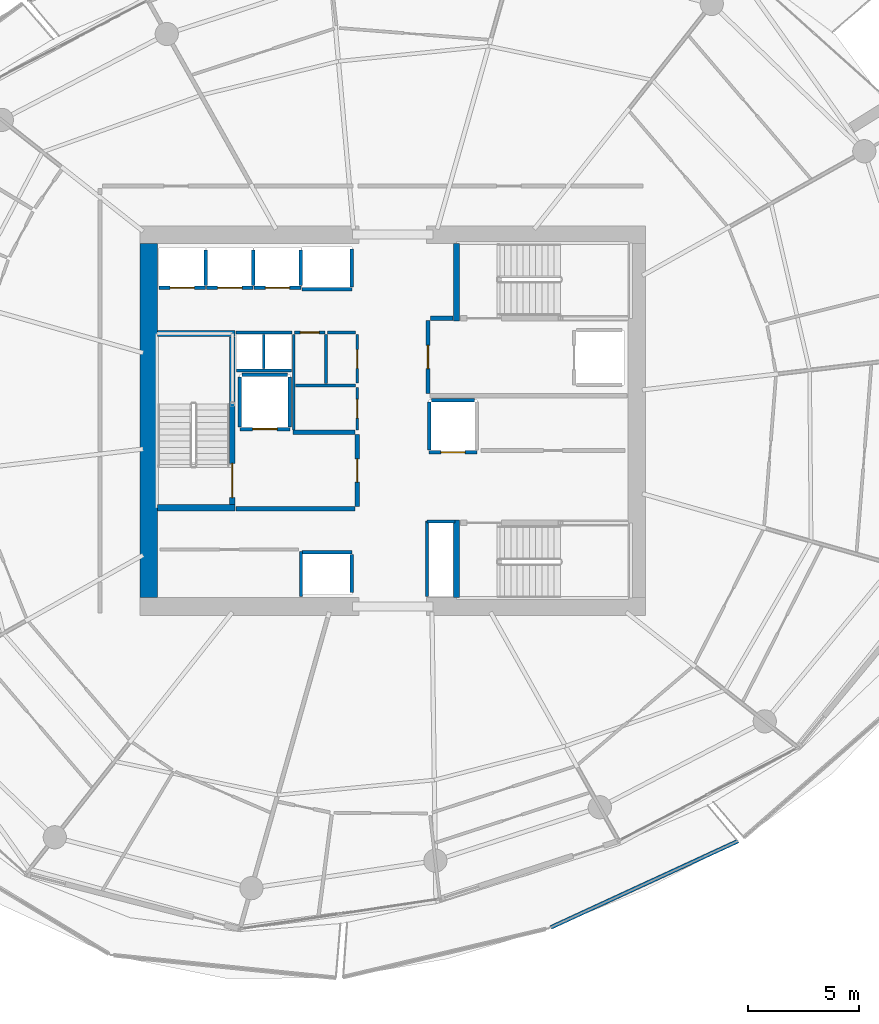
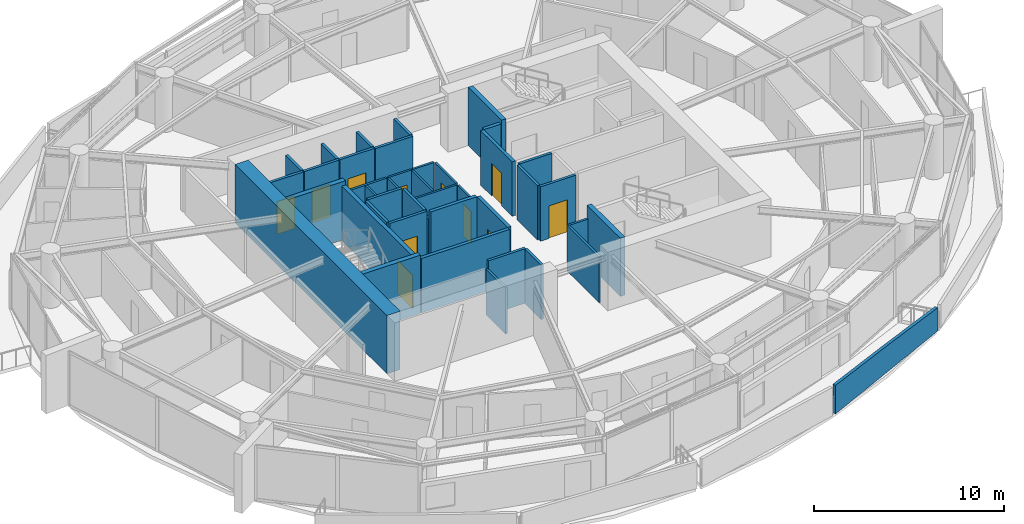
# One storey, part 12 of 20: 42 walls, 11 doors, 11 openings.
"""IFC4 building model written with IfcOpenShell, lengths in metres."""

from ifc_helpers import new_model, si_unit, direction, frame, frame_2d, origin, place, context, subcontext, project, spatial, polyline, rectangle, outline, extrude, material, layer, layer_set, type_object, element, fill, save


model = new_model("IFC4")

# Units and contexts
model_context = context("Model", 3, precision=1e-05, world=origin(), true_north=direction((0.0, 1.0)))
body_context = subcontext(model_context, "Body", "Model", "MODEL_VIEW")
ifc_project = project(units=[si_unit("LENGTHUNIT", "METRE"), si_unit("AREAUNIT", "SQUARE_METRE"), si_unit("VOLUMEUNIT", "CUBIC_METRE"), si_unit("PLANEANGLEUNIT", "RADIAN"), si_unit("MASSUNIT", "GRAM", prefix="KILO")], contexts=[model_context])

# Site, building, storey
site_placement = place(None, origin())
site = spatial("IfcSite", under=ifc_project, at=site_placement, CompositionType="ELEMENT")
building_placement = place(site_placement, origin())
building = spatial("IfcBuilding", under=site, at=building_placement, Name="Kazma Halo Residences", CompositionType="ELEMENT")
storey_placement = place(building_placement, frame((0.0, 0.0, 169.050048828125)))
storey = spatial("IfcBuildingStorey", under=building, at=storey_placement, Name="L42", CompositionType="ELEMENT", Elevation=169.050048828125)

# Walls
ifc_material_1 = material(Name="White Concrete C50/60 Balustrade", Category="concrete")
ifc_layer_1 = layer(ifc_material_1, 0.179931640625)
ifc_layer_set_1 = layer_set([ifc_layer_1], Name="White Concrete C50/60 Balustrade")
wall_type_1 = type_object("IfcWallType", Name="WL-BAL-WAVE-180", PredefinedType="PARAPET", material=ifc_layer_set_1)
wall_1_placement = place(storey_placement, frame((55.56494140625, 19.103271484375, 0.0), z_axis=(0.0, 0.0, 1.0), x_axis=(0.908087442579, 0.418780606799, 0.0)))
element("IfcWall", 1, at=wall_1_placement, inside=storey, type_object=wall_type_1, Name="L42 white wave balustrade wall SSE.2", PredefinedType="PARAPET", context=body_context, shape_type="SweptSolid", body=[
    extrude(outline(polyline([(0.0, 0.0), (9.3154296875, 0.0), (9.3154296875, 1.4970703125), (4.65771484375, 1.696044921875), (0.0, 1.83203125), (0.0, 0.0)])), frame((0.0, 0.08984375, 0.0), z_axis=(0.0, -1.0, 0.0), x_axis=(1.0, 0.0, 0.0)), (0.0, 0.0, 1.0), 0.179931640625),
])
ifc_material_2 = material(Name="Concrete C80/95", Category="concrete")
ifc_layer_2 = layer(ifc_material_2, 0.800048828125)
ifc_layer_set_2 = layer_set([ifc_layer_2], Name="Concrete C80/95")
wall_type_2 = type_object("IfcWallType", Name="WL-CORE-800", PredefinedType="SHEAR", material=ifc_layer_set_2)
wall_2_placement = place(storey_placement, frame((37.39990234375, 34.0, 0.0), z_axis=(0.0, 0.0, 1.0), x_axis=(0.0, 1.0, 0.0)))
element("IfcWall", 2, at=wall_2_placement, inside=storey, type_object=wall_type_2, Name="L42 central core shear wall W", PredefinedType="SHEAR", context=body_context, shape_type="SweptSolid", body=[
    extrude(rectangle(XDim=16.0, YDim=0.800048828125, at=frame_2d((8.0, 0.0))), origin(), (0.0, 0.0, 1.0), 3.75),
])
ifc_material_3 = material(Name="Concrete C60/75", Category="concrete")
ifc_layer_3 = layer(ifc_material_3, 0.280029296875)
ifc_layer_set_3 = layer_set([ifc_layer_3], Name="Concrete C60/75")
wall_type_3 = type_object("IfcWallType", Name="WL-CORE-ST-280", PredefinedType="SHEAR", material=ifc_layer_set_3)
for number, where, z_axis, x_axis, name in (
    (3, (37.800048828125, 38.06005859375, 0.0), (0.0, 0.0, 1.0), (1.0, 0.0, 0.0), "L42 stairwell bearing wall ST01-S"),
    (4, (37.800048828125, 45.93994140625, 0.0), (0.0, 0.0, 1.0), (1.0, 0.0, 0.0), "L42 stairwell bearing wall ST01-N"),
    (5, (51.31005859375, 46.5, 0.0), (0.0, 0.0, 1.0), (0.0, 1.0, 0.0), "L42 stairwell bearing wall ST02-W"),
    (6, (51.31005859375, 34.0, 0.0), (0.0, 0.0, 1.0), (0.0, 1.0, 0.0), "L42 stairwell bearing wall ST03-W"),
):
    element("IfcWall", number, at=place(storey_placement, frame(where, z_axis=z_axis, x_axis=x_axis)), inside=storey, type_object=wall_type_3, Name=name, PredefinedType="SHEAR", context=body_context, shape_type="SweptSolid", body=[
        extrude(rectangle(XDim=3.5, YDim=0.280029296875, at=frame_2d((1.75, 0.0))), origin(), (0.0, 0.0, 1.0), 3.75),
    ])

# Wall, opening, door
ifc_material_4 = material(Name="Fire-Rated Blockwork Masonry", Category="masonry")
ifc_layer_4 = layer(ifc_material_4, 0.199951171875)
ifc_layer_set_4 = layer_set([ifc_layer_4], Name="Fire-Rated Blockwork Masonry")
wall_type_4 = type_object("IfcWallType", Name="WL-FLB-200", PredefinedType="PARTITIONING", material=ifc_layer_set_4)
wall_3_placement = place(storey_placement, frame((39.97509765625, 47.9951171875, 0.0), z_axis=(0.0, 0.0, 1.0), x_axis=(-1.0, 0.0, 0.0)))
wall_3 = element("IfcWall", 7, at=wall_3_placement, inside=storey, type_object=wall_type_4, Name="L42 lift shaft PM-01 front wall", PredefinedType="PARTITIONING", context=body_context, shape_type="SweptSolid", body=[
    extrude(rectangle(XDim=2.110107421875, YDim=0.159912109375, at=frame_2d((1.05517578125, 0.0))), origin(), (0.0, 0.0, 1.0), 3.5),
])
opening_1_placement = place(wall_3_placement, frame((0.5048828125, 0.0, 0.0)))
opening_1 = element("IfcOpeningElement", 8, at=opening_1_placement, cuts=wall_3, Name="Opening LD-PM-01", PredefinedType="OPENING", context=body_context, shape_type="SweptSolid", body=[
    extrude(rectangle(XDim=1.10009765625, YDim=2.10009765625, at=frame_2d((0.550048828125, 1.050048828125))), frame((0.0, 0.08984375, 0.0), z_axis=(0.0, -1.0, 0.0), x_axis=(1.0, 0.0, 0.0)), (0.0, 0.0, 1.0), 0.179931640625),
])
ifc_material_5 = material(Name="Stainless Steel Fire-Rated", Category="steel")
door_type_1 = type_object("IfcDoorType", Name="DR-LIFT-SLD-1100", OperationType="DOUBLE_DOOR_SLIDING", PredefinedType="DOOR", material=ifc_material_5)
door_1_placement = place(opening_1_placement, origin())
door_1 = element("IfcDoor", 9, at=door_1_placement, inside=storey, type_object=door_type_1, Name="L42 lift PM-01 sliding landing door", OperationType="DOUBLE_DOOR_SLIDING", OverallHeight=2.10009765625, OverallWidth=1.10009765625, PredefinedType="DOOR", context=body_context, shape_type="SweptSolid", body=[
    extrude(rectangle(XDim=1.10009765625, YDim=2.10009765625, at=frame_2d((0.550048828125, 1.050048828125))), frame((0.0, 0.02490234375, 0.0), z_axis=(0.0, -1.0, 0.0), x_axis=(1.0, 0.0, 0.0)), (0.0, 0.0, 1.0), 0.050048828125),
])
fill(opening_1, door_1)

# Wall
wall_4_placement = place(storey_placement, frame((39.97509765625, 48.094970703125, 0.0), z_axis=(0.0, 0.0, 1.0), x_axis=(0.0, 1.0, 0.0)))
element("IfcWall", 10, at=wall_4_placement, inside=storey, type_object=wall_type_4, Name="L42 lift shaft PM-01 side wall E", PredefinedType="PARTITIONING", context=body_context, shape_type="SweptSolid", body=[
    extrude(rectangle(XDim=1.610107421875, YDim=0.159912109375, at=frame_2d((0.80517578125, 0.0))), origin(), (0.0, 0.0, 1.0), 3.5),
])

# Wall, opening, door
wall_5_placement = place(storey_placement, frame((42.125, 47.9951171875, 0.0), z_axis=(0.0, 0.0, 1.0), x_axis=(-1.0, 0.0, 0.0)))
wall_5 = element("IfcWall", 11, at=wall_5_placement, inside=storey, type_object=wall_type_4, Name="L42 lift shaft PM-02 front wall", PredefinedType="PARTITIONING", context=body_context, shape_type="SweptSolid", body=[
    extrude(rectangle(XDim=2.110107421875, YDim=0.159912109375, at=frame_2d((1.05517578125, 0.0))), origin(), (0.0, 0.0, 1.0), 3.5),
])
opening_2_placement = place(wall_5_placement, frame((0.5048828125, 0.0, 0.0)))
opening_2 = element("IfcOpeningElement", 12, at=opening_2_placement, cuts=wall_5, Name="Opening LD-PM-02", PredefinedType="OPENING", context=body_context, shape_type="SweptSolid", body=[
    extrude(rectangle(XDim=1.10009765625, YDim=2.10009765625, at=frame_2d((0.550048828125, 1.050048828125))), frame((0.0, 0.08984375, 0.0), z_axis=(0.0, -1.0, 0.0), x_axis=(1.0, 0.0, 0.0)), (0.0, 0.0, 1.0), 0.179931640625),
])
door_2_placement = place(opening_2_placement, origin())
door_2 = element("IfcDoor", 13, at=door_2_placement, inside=storey, type_object=door_type_1, Name="L42 lift PM-02 sliding landing door", OperationType="DOUBLE_DOOR_SLIDING", OverallHeight=2.10009765625, OverallWidth=1.10009765625, PredefinedType="DOOR", context=body_context, shape_type="SweptSolid", body=[
    extrude(rectangle(XDim=1.10009765625, YDim=2.10009765625, at=frame_2d((0.550048828125, 1.050048828125))), frame((0.0, 0.02490234375, 0.0), z_axis=(0.0, -1.0, 0.0), x_axis=(1.0, 0.0, 0.0)), (0.0, 0.0, 1.0), 0.050048828125),
])
fill(opening_2, door_2)

# Wall
wall_6_placement = place(storey_placement, frame((42.125, 48.094970703125, 0.0), z_axis=(0.0, 0.0, 1.0), x_axis=(0.0, 1.0, 0.0)))
element("IfcWall", 14, at=wall_6_placement, inside=storey, type_object=wall_type_4, Name="L42 lift shaft PM-02 side wall E", PredefinedType="PARTITIONING", context=body_context, shape_type="SweptSolid", body=[
    extrude(rectangle(XDim=1.610107421875, YDim=0.159912109375, at=frame_2d((0.80517578125, 0.0))), origin(), (0.0, 0.0, 1.0), 3.5),
])

# Wall, opening, door
wall_7_placement = place(storey_placement, frame((44.27490234375, 47.9951171875, 0.0), z_axis=(0.0, 0.0, 1.0), x_axis=(-1.0, 0.0, 0.0)))
wall_7 = element("IfcWall", 15, at=wall_7_placement, inside=storey, type_object=wall_type_4, Name="L42 lift shaft PM-03 front wall", PredefinedType="PARTITIONING", context=body_context, shape_type="SweptSolid", body=[
    extrude(rectangle(XDim=2.10986328125, YDim=0.159912109375, at=frame_2d((1.054931640625, 0.0))), origin(), (0.0, 0.0, 1.0), 3.5),
])
opening_3_placement = place(wall_7_placement, frame((0.5048828125, 0.0, 0.0)))
opening_3 = element("IfcOpeningElement", 16, at=opening_3_placement, cuts=wall_7, Name="Opening LD-PM-03", PredefinedType="OPENING", context=body_context, shape_type="SweptSolid", body=[
    extrude(rectangle(XDim=1.10009765625, YDim=2.10009765625, at=frame_2d((0.550048828125, 1.050048828125))), frame((0.0, 0.08984375, 0.0), z_axis=(0.0, -1.0, 0.0), x_axis=(1.0, 0.0, 0.0)), (0.0, 0.0, 1.0), 0.179931640625),
])
door_3_placement = place(opening_3_placement, origin())
door_3 = element("IfcDoor", 17, at=door_3_placement, inside=storey, type_object=door_type_1, Name="L42 lift PM-03 sliding landing door", OperationType="DOUBLE_DOOR_SLIDING", OverallHeight=2.10009765625, OverallWidth=1.10009765625, PredefinedType="DOOR", context=body_context, shape_type="SweptSolid", body=[
    extrude(rectangle(XDim=1.10009765625, YDim=2.10009765625, at=frame_2d((0.550048828125, 1.050048828125))), frame((0.0, 0.02490234375, 0.0), z_axis=(0.0, -1.0, 0.0), x_axis=(1.0, 0.0, 0.0)), (0.0, 0.0, 1.0), 0.050048828125),
])
fill(opening_3, door_3)

# Walls
wall_8_placement = place(storey_placement, frame((44.27490234375, 48.094970703125, 0.0), z_axis=(0.0, 0.0, 1.0), x_axis=(0.0, 1.0, 0.0)))
element("IfcWall", 18, at=wall_8_placement, inside=storey, type_object=wall_type_4, Name="L42 lift shaft PM-03 side wall E", PredefinedType="PARTITIONING", context=body_context, shape_type="SweptSolid", body=[
    extrude(rectangle(XDim=1.610107421875, YDim=0.159912109375, at=frame_2d((0.80517578125, 0.0))), origin(), (0.0, 0.0, 1.0), 3.5),
])
wall_9_placement = place(storey_placement, frame((46.580078125, 47.945068359375, 0.0), z_axis=(0.0, 0.0, 1.0), x_axis=(-1.0, 0.0, 0.0)))
element("IfcWall", 19, at=wall_9_placement, inside=storey, type_object=wall_type_4, Name="L42 lift shaft PX-01 front wall", PredefinedType="PARTITIONING", context=body_context, shape_type="SweptSolid", body=[
    extrude(rectangle(XDim=2.260009765625, YDim=0.159912109375, at=frame_2d((1.1298828125, 0.0))), origin(), (0.0, 0.0, 1.0), 3.5),
])
wall_10_placement = place(storey_placement, frame((46.580078125, 48.044921875, 0.0), z_axis=(0.0, 0.0, 1.0), x_axis=(0.0, 1.0, 0.0)))
element("IfcWall", 20, at=wall_10_placement, inside=storey, type_object=wall_type_4, Name="L42 lift shaft PX-01 side wall E", PredefinedType="PARTITIONING", context=body_context, shape_type="SweptSolid", body=[
    extrude(rectangle(XDim=1.7099609375, YDim=0.159912109375, at=frame_2d((0.85498046875, 0.0))), origin(), (0.0, 0.0, 1.0), 3.5),
])
wall_11_placement = place(storey_placement, frame((44.320068359375, 36.054931640625, 0.0), z_axis=(0.0, 0.0, 1.0), x_axis=(1.0, 0.0, 0.0)))
element("IfcWall", 21, at=wall_11_placement, inside=storey, type_object=wall_type_4, Name="L42 lift shaft PX-02 front wall", PredefinedType="PARTITIONING", context=body_context, shape_type="SweptSolid", body=[
    extrude(rectangle(XDim=2.260009765625, YDim=0.159912109375, at=frame_2d((1.1298828125, 0.0))), origin(), (0.0, 0.0, 1.0), 3.5),
])
wall_12_placement = place(storey_placement, frame((46.580078125, 34.2451171875, 0.0), z_axis=(0.0, 0.0, 1.0), x_axis=(0.0, 1.0, 0.0)))
element("IfcWall", 22, at=wall_12_placement, inside=storey, type_object=wall_type_4, Name="L42 lift shaft PX-02 side wall E", PredefinedType="PARTITIONING", context=body_context, shape_type="SweptSolid", body=[
    extrude(rectangle(XDim=1.7099609375, YDim=0.159912109375, at=frame_2d((0.85498046875, 0.0))), origin(), (0.0, 0.0, 1.0), 3.5),
])

# Wall, opening, door
wall_13_placement = place(storey_placement, frame((43.780029296875, 41.6201171875, 0.0), z_axis=(0.0, 0.0, 1.0), x_axis=(-1.0, 0.0, 0.0)))
wall_13 = element("IfcWall", 23, at=wall_13_placement, inside=storey, type_object=wall_type_4, Name="L42 lift shaft FL-01 front wall", PredefinedType="PARTITIONING", context=body_context, shape_type="SweptSolid", body=[
    extrude(rectangle(XDim=2.260009765625, YDim=0.159912109375, at=frame_2d((1.1298828125, 0.0))), origin(), (0.0, 0.0, 1.0), 3.5),
])
opening_4_placement = place(wall_13_placement, frame((0.580078125, 0.0, 0.0)))
opening_4 = element("IfcOpeningElement", 24, at=opening_4_placement, cuts=wall_13, Name="Opening LD-FL-01", PredefinedType="OPENING", context=body_context, shape_type="SweptSolid", body=[
    extrude(rectangle(XDim=1.10009765625, YDim=2.10009765625, at=frame_2d((0.550048828125, 1.050048828125))), frame((0.0, 0.08984375, 0.0), z_axis=(0.0, -1.0, 0.0), x_axis=(1.0, 0.0, 0.0)), (0.0, 0.0, 1.0), 0.179931640625),
])
door_4_placement = place(opening_4_placement, origin())
door_4 = element("IfcDoor", 25, at=door_4_placement, inside=storey, type_object=door_type_1, Name="L42 lift FL-01 sliding landing door", OperationType="DOUBLE_DOOR_SLIDING", OverallHeight=2.10009765625, OverallWidth=1.10009765625, PredefinedType="DOOR", context=body_context, shape_type="SweptSolid", body=[
    extrude(rectangle(XDim=1.10009765625, YDim=2.10009765625, at=frame_2d((0.550048828125, 1.050048828125))), frame((0.0, 0.02490234375, 0.0), z_axis=(0.0, -1.0, 0.0), x_axis=(1.0, 0.0, 0.0)), (0.0, 0.0, 1.0), 0.050048828125),
])
fill(opening_4, door_4)

# Walls
for number, where, z_axis, x_axis, name in (
    (26, (43.780029296875, 41.719970703125, 0.0), (0.0, 0.0, 1.0), (0.0, 1.0, 0.0), "L42 lift shaft FL-01 side wall E"),
    (27, (41.52001953125, 41.719970703125, 0.0), (0.0, 0.0, 1.0), (0.0, 1.0, 0.0), "L42 lift shaft FL-01 side wall W"),
):
    element("IfcWall", number, at=place(storey_placement, frame(where, z_axis=z_axis, x_axis=x_axis)), inside=storey, type_object=wall_type_4, Name=name, PredefinedType="PARTITIONING", context=body_context, shape_type="SweptSolid", body=[
        extrude(rectangle(XDim=2.260009765625, YDim=0.159912109375, at=frame_2d((1.1298828125, 0.0))), origin(), (0.0, 0.0, 1.0), 3.5),
    ])
wall_14_placement = place(storey_placement, frame((41.6201171875, 44.080078125, 0.0), z_axis=(0.0, 0.0, 1.0), x_axis=(1.0, 0.0, 0.0)))
element("IfcWall", 28, at=wall_14_placement, inside=storey, type_object=wall_type_4, Name="L42 lift shaft FL-01 side wall N", PredefinedType="PARTITIONING", context=body_context, shape_type="SweptSolid", body=[
    extrude(rectangle(XDim=2.059814453125, YDim=0.159912109375, at=frame_2d((1.02978515625, 0.0))), origin(), (0.0, 0.0, 1.0), 3.5),
])

# Wall, opening, door
wall_15_placement = place(storey_placement, frame((52.22998046875, 40.570068359375, 0.0), z_axis=(0.0, 0.0, 1.0), x_axis=(-1.0, 0.0, 0.0)))
wall_15 = element("IfcWall", 29, at=wall_15_placement, inside=storey, type_object=wall_type_4, Name="L42 lift shaft SV-01 front wall", PredefinedType="PARTITIONING", context=body_context, shape_type="SweptSolid", body=[
    extrude(rectangle(XDim=2.159912109375, YDim=0.159912109375, at=frame_2d((1.080078125, 0.0))), origin(), (0.0, 0.0, 1.0), 3.5),
])
opening_5_placement = place(wall_15_placement, frame((0.530029296875, 0.0, 0.0)))
opening_5 = element("IfcOpeningElement", 30, at=opening_5_placement, cuts=wall_15, Name="Opening LD-SV-01", PredefinedType="OPENING", context=body_context, shape_type="SweptSolid", body=[
    extrude(rectangle(XDim=1.10009765625, YDim=2.10009765625, at=frame_2d((0.550048828125, 1.050048828125))), frame((0.0, 0.08984375, 0.0), z_axis=(0.0, -1.0, 0.0), x_axis=(1.0, 0.0, 0.0)), (0.0, 0.0, 1.0), 0.179931640625),
])
door_5_placement = place(opening_5_placement, origin())
door_5 = element("IfcDoor", 31, at=door_5_placement, inside=storey, type_object=door_type_1, Name="L42 lift SV-01 sliding landing door", OperationType="DOUBLE_DOOR_SLIDING", OverallHeight=2.10009765625, OverallWidth=1.10009765625, PredefinedType="DOOR", context=body_context, shape_type="SweptSolid", body=[
    extrude(rectangle(XDim=1.10009765625, YDim=2.10009765625, at=frame_2d((0.550048828125, 1.050048828125))), frame((0.0, 0.02490234375, 0.0), z_axis=(0.0, -1.0, 0.0), x_axis=(1.0, 0.0, 0.0)), (0.0, 0.0, 1.0), 0.050048828125),
])
fill(opening_5, door_5)

# Walls
wall_16_placement = place(storey_placement, frame((50.070068359375, 40.669921875, 0.0), z_axis=(0.0, 0.0, 1.0), x_axis=(0.0, 1.0, 0.0)))
element("IfcWall", 32, at=wall_16_placement, inside=storey, type_object=wall_type_4, Name="L42 lift shaft SV-01 side wall W", PredefinedType="PARTITIONING", context=body_context, shape_type="SweptSolid", body=[
    extrude(rectangle(XDim=2.16015625, YDim=0.159912109375, at=frame_2d((1.080078125, 0.0))), origin(), (0.0, 0.0, 1.0), 3.5),
])
wall_17_placement = place(storey_placement, frame((50.169921875, 42.929931640625, 0.0), z_axis=(0.0, 0.0, 1.0), x_axis=(1.0, 0.0, 0.0)))
element("IfcWall", 33, at=wall_17_placement, inside=storey, type_object=wall_type_4, Name="L42 lift shaft SV-01 side wall N", PredefinedType="PARTITIONING", context=body_context, shape_type="SweptSolid", body=[
    extrude(rectangle(XDim=1.9599609375, YDim=0.159912109375, at=frame_2d((0.97998046875, 0.0))), origin(), (0.0, 0.0, 1.0), 3.5),
])
wall_18_placement = place(storey_placement, frame((41.35009765625, 38.02001953125, 0.0), z_axis=(0.0, 0.0, 1.0), x_axis=(1.0, 0.0, 0.0)))
element("IfcWall", 34, at=wall_18_placement, inside=storey, type_object=wall_type_4, Name="L42 west firefighting lobby south smoke wall", PredefinedType="PARTITIONING", context=body_context, shape_type="SweptSolid", body=[
    extrude(rectangle(XDim=5.369873046875, YDim=0.199951171875, at=frame_2d((2.68505859375, 0.0))), origin(), (0.0, 0.0, 1.0), 3.5),
])
wall_19_placement = place(storey_placement, frame((43.919921875, 41.47998046875, 0.0), z_axis=(0.0, 0.0, 1.0), x_axis=(1.0, 0.0, 0.0)))
element("IfcWall", 35, at=wall_19_placement, inside=storey, type_object=wall_type_4, Name="L42 west firefighting lobby north smoke wall", PredefinedType="PARTITIONING", context=body_context, shape_type="SweptSolid", body=[
    extrude(rectangle(XDim=2.800048828125, YDim=0.199951171875, at=frame_2d((1.39990234375, 0.0))), origin(), (0.0, 0.0, 1.0), 3.5),
])

# Wall, opening, door
wall_20_placement = place(storey_placement, frame((46.820068359375, 38.1201171875, 0.0), z_axis=(0.0, 0.0, 1.0), x_axis=(0.0, 1.0, 0.0)))
wall_20 = element("IfcWall", 36, at=wall_20_placement, inside=storey, type_object=wall_type_4, Name="L42 west firefighting lobby smoke wall", PredefinedType="PARTITIONING", context=body_context, shape_type="SweptSolid", body=[
    extrude(rectangle(XDim=3.259765625, YDim=0.199951171875, at=frame_2d((1.6298828125, 0.0))), origin(), (0.0, 0.0, 1.0), 3.5),
])
opening_6_placement = place(wall_20_placement, frame((1.10498046875, 0.0, 0.0)))
opening_6 = element("IfcOpeningElement", 37, at=opening_6_placement, cuts=wall_20, Name="Opening D-FLW", PredefinedType="OPENING", context=body_context, shape_type="SweptSolid", body=[
    extrude(rectangle(XDim=1.050048828125, YDim=2.10009765625, at=frame_2d((0.52490234375, 1.050048828125))), frame((0.0, 0.10986328125, 0.0), z_axis=(0.0, -1.0, 0.0), x_axis=(1.0, 0.0, 0.0)), (0.0, 0.0, 1.0), 0.219970703125),
])
ifc_material_6 = material(Name="Fire-Rated Steel Leaf", Category="steel")
door_type_2 = type_object("IfcDoorType", Name="DR-FD90-1050", OperationType="NOTDEFINED", PredefinedType="DOOR", material=ifc_material_6)
door_6_placement = place(opening_6_placement, origin())
door_6 = element("IfcDoor", 38, at=door_6_placement, inside=storey, type_object=door_type_2, Name="L42 west firefighting lobby smoke door", OperationType="SINGLE_SWING_LEFT", OverallHeight=2.10009765625, OverallWidth=1.050048828125, PredefinedType="DOOR", context=body_context, shape_type="SweptSolid", body=[
    extrude(rectangle(XDim=1.050048828125, YDim=2.10009765625, at=frame_2d((0.52490234375, 1.050048828125))), frame((0.0, 0.02490234375, 0.0), z_axis=(0.0, -1.0, 0.0), x_axis=(1.0, 0.0, 0.0)), (0.0, 0.0, 1.0), 0.050048828125),
])
fill(opening_6, door_6)

# Wall
wall_21_placement = place(storey_placement, frame((50.139892578125, 46.6201171875, 0.0), z_axis=(0.0, 0.0, 1.0), x_axis=(1.0, 0.0, 0.0)))
element("IfcWall", 39, at=wall_21_placement, inside=storey, type_object=wall_type_4, Name="L42 east firefighting lobby north closure wall", PredefinedType="PARTITIONING", context=body_context, shape_type="SweptSolid", body=[
    extrude(rectangle(XDim=1.02001953125, YDim=0.199951171875, at=frame_2d((0.510009765625, 0.0))), origin(), (0.0, 0.0, 1.0), 3.5),
])

# Wall, opening, door
wall_22_placement = place(storey_placement, frame((50.02001953125, 43.219970703125, 0.0), z_axis=(0.0, 0.0, 1.0), x_axis=(0.0, 1.0, 0.0)))
wall_22 = element("IfcWall", 40, at=wall_22_placement, inside=storey, type_object=wall_type_4, Name="L42 east firefighting lobby smoke wall", PredefinedType="PARTITIONING", context=body_context, shape_type="SweptSolid", body=[
    extrude(rectangle(XDim=3.300048828125, YDim=0.199951171875, at=frame_2d((1.64990234375, 0.0))), origin(), (0.0, 0.0, 1.0), 3.5),
])
opening_7_placement = place(wall_22_placement, frame((1.125, 0.0, 0.0)))
opening_7 = element("IfcOpeningElement", 41, at=opening_7_placement, cuts=wall_22, Name="Opening D-FLE", PredefinedType="OPENING", context=body_context, shape_type="SweptSolid", body=[
    extrude(rectangle(XDim=1.050048828125, YDim=2.10009765625, at=frame_2d((0.52490234375, 1.050048828125))), frame((0.0, 0.10986328125, 0.0), z_axis=(0.0, -1.0, 0.0), x_axis=(1.0, 0.0, 0.0)), (0.0, 0.0, 1.0), 0.219970703125),
])
door_7_placement = place(opening_7_placement, origin())
door_7 = element("IfcDoor", 42, at=door_7_placement, inside=storey, type_object=door_type_2, Name="L42 east firefighting lobby smoke door", OperationType="SINGLE_SWING_RIGHT", OverallHeight=2.10009765625, OverallWidth=1.050048828125, PredefinedType="DOOR", context=body_context, shape_type="SweptSolid", body=[
    extrude(rectangle(XDim=1.050048828125, YDim=2.10009765625, at=frame_2d((0.52490234375, 1.050048828125))), frame((0.0, 0.02490234375, 0.0), z_axis=(0.0, -1.0, 0.0), x_axis=(1.0, 0.0, 0.0)), (0.0, 0.0, 1.0), 0.050048828125),
])
fill(opening_7, door_7)

# Walls
ifc_material_7 = material(Name="Gypsum Plasterboard Partition")
ifc_layer_5 = layer(ifc_material_7, 0.125)
ifc_layer_set_5 = layer_set([ifc_layer_5], Name="Gypsum Plasterboard Partition")
wall_type_5 = type_object("IfcWallType", Name="WL-PART-125", PredefinedType="PARTITIONING", material=ifc_layer_set_5)
wall_23_placement = place(storey_placement, frame((44.280029296875, 34.050048828125, 0.0), z_axis=(0.0, 0.0, 1.0), x_axis=(0.0, 1.0, 0.0)))
element("IfcWall", 43, at=wall_23_placement, inside=storey, type_object=wall_type_5, Name="L42 reclaimed south east wall", PredefinedType="PARTITIONING", context=body_context, shape_type="SweptSolid", body=[
    extrude(rectangle(XDim=2.030029296875, YDim=0.125, at=frame_2d((1.01513671875, 0.0))), origin(), (0.0, 0.0, 1.0), 2.93994140625),
])
wall_24_placement = place(storey_placement, frame((41.360107421875, 44.260009765625, 0.0), z_axis=(0.0, 0.0, 1.0), x_axis=(1.0, 0.0, 0.0)))
element("IfcWall", 44, at=wall_24_placement, inside=storey, type_object=wall_type_5, Name="L42 core riser south wall", PredefinedType="PARTITIONING", context=body_context, shape_type="SweptSolid", body=[
    extrude(rectangle(XDim=2.5, YDim=0.125, at=frame_2d((1.25, 0.0))), origin(), (0.0, 0.0, 1.0), 2.93994140625),
])
wall_25_placement = place(storey_placement, frame((42.60009765625, 44.35009765625, 0.0), z_axis=(0.0, 0.0, 1.0), x_axis=(0.0, 1.0, 0.0)))
element("IfcWall", 45, at=wall_25_placement, inside=storey, type_object=wall_type_5, Name="L42 core riser divider wall", PredefinedType="PARTITIONING", context=body_context, shape_type="SweptSolid", body=[
    extrude(rectangle(XDim=1.5498046875, YDim=0.125, at=frame_2d((0.77490234375, 0.0))), origin(), (0.0, 0.0, 1.0), 2.93994140625),
])
wall_26_placement = place(storey_placement, frame((49.97998046875, 34.06005859375, 0.0), z_axis=(0.0, 0.0, 1.0), x_axis=(0.0, 1.0, 0.0)))
element("IfcWall", 46, at=wall_26_placement, inside=storey, type_object=wall_type_5, Name="L42 standpipe riser wall", PredefinedType="PARTITIONING", context=body_context, shape_type="SweptSolid", body=[
    extrude(rectangle(XDim=3.39990234375, YDim=0.125, at=frame_2d((1.699951171875, 0.0))), origin(), (0.0, 0.0, 1.0), 2.93994140625),
])
wall_27_placement = place(storey_placement, frame((49.97998046875, 37.43994140625, 0.0), z_axis=(0.0, 0.0, 1.0), x_axis=(1.0, 0.0, 0.0)))
element("IfcWall", 47, at=wall_27_placement, inside=storey, type_object=wall_type_5, Name="L42 standpipe riser north wall", PredefinedType="PARTITIONING", context=body_context, shape_type="SweptSolid", body=[
    extrude(rectangle(XDim=1.260009765625, YDim=0.125, at=frame_2d((0.6298828125, 0.0))), origin(), (0.0, 0.0, 1.0), 2.93994140625),
])
wall_28_placement = place(storey_placement, frame((43.949951171875, 41.580078125, 0.0), z_axis=(0.0, 0.0, 1.0), x_axis=(0.0, 1.0, 0.0)))
element("IfcWall", 48, at=wall_28_placement, inside=storey, type_object=wall_type_5, Name="L42 core service west wall", PredefinedType="PARTITIONING", context=body_context, shape_type="SweptSolid", body=[
    extrude(rectangle(XDim=4.31982421875, YDim=0.125, at=frame_2d((2.159912109375, 0.0))), origin(), (0.0, 0.0, 1.0), 2.93994140625),
])
wall_29_placement = place(storey_placement, frame((44.030029296875, 43.590087890625, 0.0), z_axis=(0.0, 0.0, 1.0), x_axis=(1.0, 0.0, 0.0)))
element("IfcWall", 49, at=wall_29_placement, inside=storey, type_object=wall_type_5, Name="L42 core service horiz divider", PredefinedType="PARTITIONING", context=body_context, shape_type="SweptSolid", body=[
    extrude(rectangle(XDim=2.7099609375, YDim=0.125, at=frame_2d((1.35498046875, 0.0))), origin(), (0.0, 0.0, 1.0), 2.93994140625),
])
wall_30_placement = place(storey_placement, frame((45.409912109375, 43.669921875, 0.0), z_axis=(0.0, 0.0, 1.0), x_axis=(0.0, 1.0, 0.0)))
element("IfcWall", 50, at=wall_30_placement, inside=storey, type_object=wall_type_5, Name="L42 core service vert divider", PredefinedType="PARTITIONING", context=body_context, shape_type="SweptSolid", body=[
    extrude(rectangle(XDim=2.22998046875, YDim=0.125, at=frame_2d((1.114990234375, 0.0))), origin(), (0.0, 0.0, 1.0), 2.93994140625),
])

# Wall, opening, door
wall_31_placement = place(storey_placement, frame((46.820068359375, 41.580078125, 0.0), z_axis=(0.0, 0.0, 1.0), x_axis=(0.0, 1.0, 0.0)))
wall_31 = element("IfcWall", 51, at=wall_31_placement, inside=storey, type_object=wall_type_5, Name="L42 refuse room east wall", PredefinedType="PARTITIONING", context=body_context, shape_type="SweptSolid", body=[
    extrude(rectangle(XDim=1.909912109375, YDim=0.125, at=frame_2d((0.955078125, 0.0))), origin(), (0.0, 0.0, 1.0), 2.93994140625),
])
opening_8_placement = place(wall_31_placement, frame((0.530029296875, 0.0, 0.0)))
opening_8 = element("IfcOpeningElement", 52, at=opening_8_placement, cuts=wall_31, Name="Opening DS-850", PredefinedType="OPENING", context=body_context, shape_type="SweptSolid", body=[
    extrude(rectangle(XDim=0.85009765625, YDim=2.06005859375, at=frame_2d((0.425048828125, 1.030029296875))), frame((0.0, 0.072509765625, 0.0), z_axis=(0.0, -1.0, 0.0), x_axis=(1.0, 0.0, 0.0)), (0.0, 0.0, 1.0), 0.14501953125),
])
ifc_material_8 = material(Name="Painted Steel Access Leaf", Category="steel")
door_type_3 = type_object("IfcDoorType", Name="DR-SVC-850", OperationType="NOTDEFINED", PredefinedType="DOOR", material=ifc_material_8)
door_8_placement = place(opening_8_placement, origin())
door_8 = element("IfcDoor", 53, at=door_8_placement, inside=storey, type_object=door_type_3, Name="L42 refuse room door", OperationType="SINGLE_SWING_LEFT", OverallHeight=2.06005859375, OverallWidth=0.85009765625, PredefinedType="DOOR", context=body_context, shape_type="SweptSolid", body=[
    extrude(rectangle(XDim=0.85009765625, YDim=2.06005859375, at=frame_2d((0.425048828125, 1.030029296875))), frame((0.0, 0.02490234375, 0.0), z_axis=(0.0, -1.0, 0.0), x_axis=(1.0, 0.0, 0.0)), (0.0, 0.0, 1.0), 0.050048828125),
])
fill(opening_8, door_8)

wall_32_placement = place(storey_placement, frame((46.820068359375, 43.68994140625, 0.0), z_axis=(0.0, 0.0, 1.0), x_axis=(0.0, 1.0, 0.0)))
wall_32 = element("IfcWall", 54, at=wall_32_placement, inside=storey, type_object=wall_type_5, Name="L42 sub-metering east wall", PredefinedType="PARTITIONING", context=body_context, shape_type="SweptSolid", body=[
    extrude(rectangle(XDim=2.18994140625, YDim=0.125, at=frame_2d((1.094970703125, 0.0))), origin(), (0.0, 0.0, 1.0), 2.93994140625),
])
opening_9_placement = place(wall_32_placement, frame((0.669921875, 0.0, 0.0)))
opening_9 = element("IfcOpeningElement", 55, at=opening_9_placement, cuts=wall_32, Name="Opening DS-850", PredefinedType="OPENING", context=body_context, shape_type="SweptSolid", body=[
    extrude(rectangle(XDim=0.85009765625, YDim=2.06005859375, at=frame_2d((0.425048828125, 1.030029296875))), frame((0.0, 0.072509765625, 0.0), z_axis=(0.0, -1.0, 0.0), x_axis=(1.0, 0.0, 0.0)), (0.0, 0.0, 1.0), 0.14501953125),
])
door_9_placement = place(opening_9_placement, origin())
door_9 = element("IfcDoor", 56, at=door_9_placement, inside=storey, type_object=door_type_3, Name="L42 sub-metering door", OperationType="SINGLE_SWING_RIGHT", OverallHeight=2.06005859375, OverallWidth=0.85009765625, PredefinedType="DOOR", context=body_context, shape_type="SweptSolid", body=[
    extrude(rectangle(XDim=0.85009765625, YDim=2.06005859375, at=frame_2d((0.425048828125, 1.030029296875))), frame((0.0, 0.02490234375, 0.0), z_axis=(0.0, -1.0, 0.0), x_axis=(1.0, 0.0, 0.0)), (0.0, 0.0, 1.0), 0.050048828125),
])
fill(opening_9, door_9)

# Wall
wall_33_placement = place(storey_placement, frame((41.35009765625, 45.97998046875, 0.0), z_axis=(0.0, 0.0, 1.0), x_axis=(1.0, 0.0, 0.0)))
element("IfcWall", 57, at=wall_33_placement, inside=storey, type_object=wall_type_5, Name="L42 core riser NW wall", PredefinedType="PARTITIONING", context=body_context, shape_type="SweptSolid", body=[
    extrude(rectangle(XDim=2.52978515625, YDim=0.125, at=frame_2d((1.264892578125, 0.0))), origin(), (0.0, 0.0, 1.0), 2.93994140625),
])

# Wall, opening, door
wall_34_placement = place(storey_placement, frame((43.989990234375, 45.97998046875, 0.0), z_axis=(0.0, 0.0, 1.0), x_axis=(1.0, 0.0, 0.0)))
wall_34 = element("IfcWall", 58, at=wall_34_placement, inside=storey, type_object=wall_type_5, Name="L42 cleaners cupboard north wall", PredefinedType="PARTITIONING", context=body_context, shape_type="SweptSolid", body=[
    extrude(rectangle(XDim=1.380126953125, YDim=0.125, at=frame_2d((0.68994140625, 0.0))), origin(), (0.0, 0.0, 1.0), 2.93994140625),
])
opening_10_placement = place(wall_34_placement, frame((0.264892578125, 0.0, 0.0)))
opening_10 = element("IfcOpeningElement", 59, at=opening_10_placement, cuts=wall_34, Name="Opening DS-850", PredefinedType="OPENING", context=body_context, shape_type="SweptSolid", body=[
    extrude(rectangle(XDim=0.85009765625, YDim=2.06005859375, at=frame_2d((0.425048828125, 1.030029296875))), frame((0.0, 0.072509765625, 0.0), z_axis=(0.0, -1.0, 0.0), x_axis=(1.0, 0.0, 0.0)), (0.0, 0.0, 1.0), 0.14501953125),
])
door_10_placement = place(opening_10_placement, origin())
door_10 = element("IfcDoor", 60, at=door_10_placement, inside=storey, type_object=door_type_3, Name="L42 cleaners cupboard door", OperationType="SINGLE_SWING_LEFT", OverallHeight=2.06005859375, OverallWidth=0.85009765625, PredefinedType="DOOR", context=body_context, shape_type="SweptSolid", body=[
    extrude(rectangle(XDim=0.85009765625, YDim=2.06005859375, at=frame_2d((0.425048828125, 1.030029296875))), frame((0.0, 0.02490234375, 0.0), z_axis=(0.0, -1.0, 0.0), x_axis=(1.0, 0.0, 0.0)), (0.0, 0.0, 1.0), 0.050048828125),
])
fill(opening_10, door_10)

# Wall
wall_35_placement = place(storey_placement, frame((45.47998046875, 45.97998046875, 0.0), z_axis=(0.0, 0.0, 1.0), x_axis=(1.0, 0.0, 0.0)))
element("IfcWall", 61, at=wall_35_placement, inside=storey, type_object=wall_type_5, Name="L42 sub-metering north wall", PredefinedType="PARTITIONING", context=body_context, shape_type="SweptSolid", body=[
    extrude(rectangle(XDim=1.260009765625, YDim=0.125, at=frame_2d((0.6298828125, 0.0))), origin(), (0.0, 0.0, 1.0), 2.93994140625),
])

# Wall, opening, door
ifc_material_9 = material(Name="Concrete C50/60", Category="concrete")
ifc_layer_6 = layer(ifc_material_9, 0.25)
ifc_layer_set_6 = layer_set([ifc_layer_6], Name="Concrete C50/60")
wall_type_6 = type_object("IfcWallType", Name="WL-SHF-250", PredefinedType="SOLIDWALL", material=ifc_layer_set_6)
wall_36_placement = place(storey_placement, frame((41.179931640625, 38.219970703125, 0.0), z_axis=(0.0, 0.0, 1.0), x_axis=(0.0, 1.0, 0.0)))
wall_36 = element("IfcWall", 62, at=wall_36_placement, inside=storey, type_object=wall_type_6, Name="L42 exit stair ST-01 enclosure wall", PredefinedType="SOLIDWALL", context=body_context, shape_type="SweptSolid", body=[
    extrude(rectangle(XDim=7.56005859375, YDim=0.25, at=frame_2d((3.780029296875, 0.0))), origin(), (0.0, 0.0, 1.0), 3.5),
])
opening_11_placement = place(wall_36_placement, frame((0.300048828125, 0.0, 0.0)))
opening_11 = element("IfcOpeningElement", 63, at=opening_11_placement, cuts=wall_36, Name="Opening D-ST1", PredefinedType="OPENING", context=body_context, shape_type="SweptSolid", body=[
    extrude(rectangle(XDim=1.550048828125, YDim=2.14990234375, at=frame_2d((0.77490234375, 1.074951171875))), frame((0.0, 0.135009765625, 0.0), z_axis=(0.0, -1.0, 0.0), x_axis=(1.0, 0.0, 0.0)), (0.0, 0.0, 1.0), 0.27001953125),
])
ifc_material_10 = material(Name="Fire-Rated Double Steel Leaf", Category="steel")
door_type_4 = type_object("IfcDoorType", Name="DR-FD90-1550", OperationType="NOTDEFINED", PredefinedType="DOOR", material=ifc_material_10)
door_11_placement = place(opening_11_placement, origin())
door_11 = element("IfcDoor", 64, at=door_11_placement, inside=storey, type_object=door_type_4, Name="L42 exit stair ST-01 fire door", OperationType="DOUBLE_DOOR_SINGLE_SWING", OverallHeight=2.14990234375, OverallWidth=1.550048828125, PredefinedType="DOOR", context=body_context, shape_type="SweptSolid", body=[
    extrude(rectangle(XDim=1.550048828125, YDim=2.14990234375, at=frame_2d((0.77490234375, 1.074951171875))), frame((0.0, 0.02490234375, 0.0), z_axis=(0.0, -1.0, 0.0), x_axis=(1.0, 0.0, 0.0)), (0.0, 0.0, 1.0), 0.050048828125),
])
fill(opening_11, door_11)

save(model, "model.ifc")
